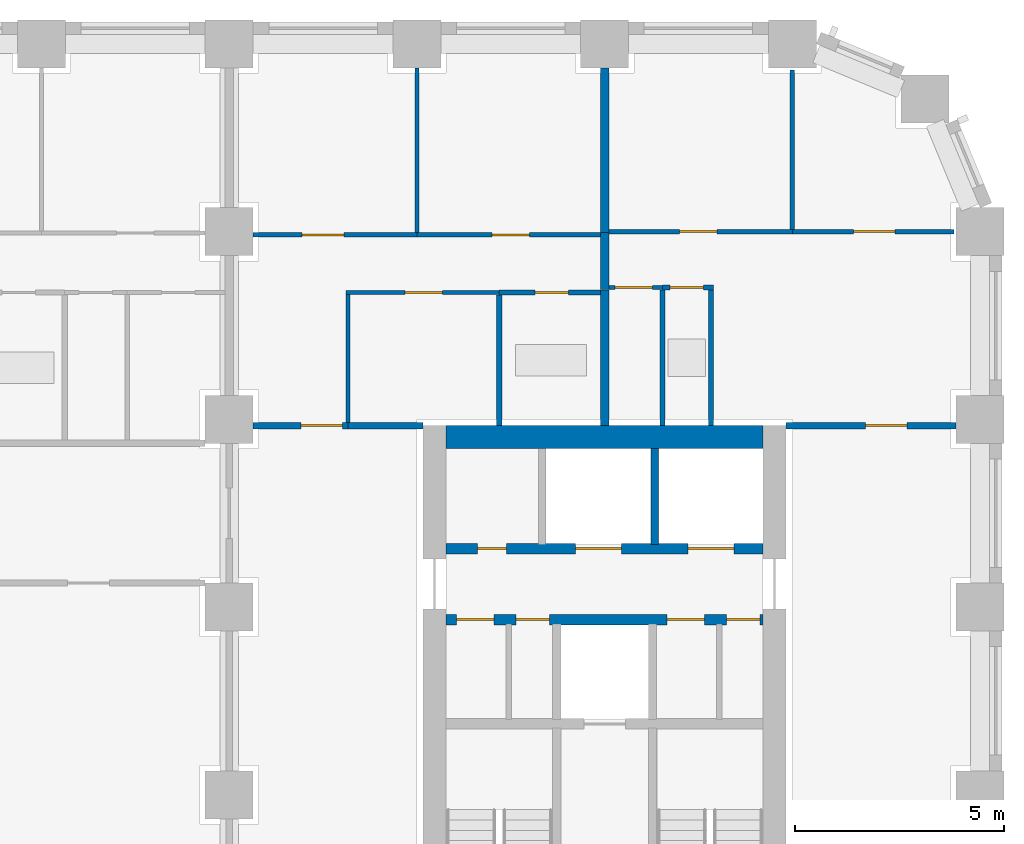
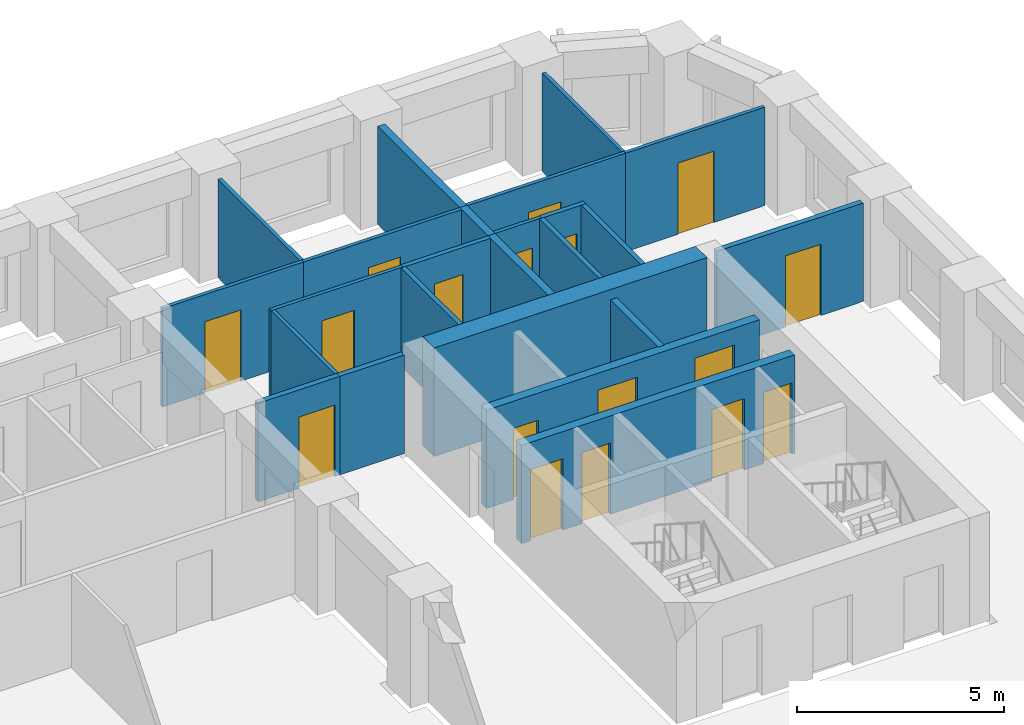
# One storey, part 9 of 13: 24 walls, 17 doors, 17 openings.
"""IFC4 building model written with IfcOpenShell, lengths in metres."""

from ifc_helpers import new_model, si_unit, direction, frame, frame_2d, origin, place, context, subcontext, project, spatial, rectangle, extrude, material, layer, layer_set, type_object, element, fill, save


model = new_model("IFC4")

# Units and contexts
model_context = context("Model", 3, precision=1e-05, world=origin(), true_north=direction((0.0, 1.0)))
body_context = subcontext(model_context, "Body", "Model", "MODEL_VIEW")
ifc_project = project(units=[si_unit("LENGTHUNIT", "METRE"), si_unit("AREAUNIT", "SQUARE_METRE"), si_unit("VOLUMEUNIT", "CUBIC_METRE"), si_unit("PLANEANGLEUNIT", "RADIAN"), si_unit("MASSUNIT", "GRAM", prefix="KILO")], contexts=[model_context])

# Site, building, storey
site_placement = place(None, origin())
site = spatial("IfcSite", under=ifc_project, at=site_placement, CompositionType="ELEMENT")
building_placement = place(site_placement, origin())
building = spatial("IfcBuilding", under=site, at=building_placement, Name="Girih Gate Residences", CompositionType="ELEMENT")
storey_placement = place(building_placement, frame((0.0, 0.0, 80.0)))
storey = spatial("IfcBuildingStorey", under=building, at=storey_placement, Name="L21", CompositionType="ELEMENT", Elevation=80.0)

# Wall, opening, door
ifc_material_1 = material(Name="Gypsum board on steel studs", Category="steel")
ifc_layer_1 = layer(ifc_material_1, 0.14990234375)
ifc_layer_set_1 = layer_set([ifc_layer_1], Name="Compartment wall 150 mm")
wall_type_1 = type_object("IfcWallType", Name="Compartment wall 150 mm", PredefinedType="PARTITIONING", material=ifc_layer_set_1)
wall_1_placement = place(storey_placement, frame((44.85009765625, 40.35009765625, 0.0), z_axis=(0.0, 0.0, 1.0), x_axis=(1.0, 0.0, 0.0)))
wall_1 = element("IfcWall", 1, at=wall_1_placement, inside=storey, type_object=wall_type_1, Name="L21 partition", PredefinedType="PARTITIONING", context=body_context, shape_type="SweptSolid", body=[
    extrude(rectangle(XDim=4.074951171875, YDim=0.14990234375, at=frame_2d((2.03759765625, 0.0))), origin(), (0.0, 0.0, 1.0), 2.89990234375),
])
opening_1_placement = place(wall_1_placement, frame((1.89990234375, 0.0, 0.0)))
opening_1 = element("IfcOpeningElement", 2, at=opening_1_placement, cuts=wall_1, Name="Opening A21-034", PredefinedType="OPENING", context=body_context, shape_type="SweptSolid", body=[
    extrude(rectangle(XDim=1.0, YDim=2.10009765625, at=frame_2d((0.5, 1.050048828125))), frame((0.0, 0.0849609375, 0.0), z_axis=(0.0, -1.0, 0.0), x_axis=(1.0, 0.0, 0.0)), (0.0, 0.0, 1.0), 0.169921875),
])
ifc_material_2 = material(Name="Timber, fire-rated core", Category="wood")
door_type_1 = type_object("IfcDoorType", Name="Flat entrance door 1000x2100 FD30S", OperationType="NOTDEFINED", PredefinedType="DOOR", material=ifc_material_2)
door_1_placement = place(opening_1_placement, origin())
door_1 = element("IfcDoor", 3, at=door_1_placement, inside=storey, type_object=door_type_1, Name="Door A21-034", OperationType="SINGLE_SWING_RIGHT", OverallHeight=2.10009765625, OverallWidth=1.0, PredefinedType="DOOR", context=body_context, shape_type="SweptSolid", body=[
    extrude(rectangle(XDim=1.0, YDim=2.10009765625, at=frame_2d((0.5, 1.050048828125))), frame((0.0, 0.02490234375, 0.0), z_axis=(0.0, -1.0, 0.0), x_axis=(1.0, 0.0, 0.0)), (0.0, 0.0, 1.0), 0.050048828125),
])
fill(opening_1, door_1)

wall_2_placement = place(storey_placement, frame((32.074951171875, 40.35009765625, 0.0), z_axis=(0.0, 0.0, 1.0), x_axis=(1.0, 0.0, 0.0)))
wall_2 = element("IfcWall", 4, at=wall_2_placement, inside=storey, type_object=wall_type_1, Name="L21 partition", PredefinedType="PARTITIONING", context=body_context, shape_type="SweptSolid", body=[
    extrude(rectangle(XDim=2.275146484375, YDim=0.14990234375, at=frame_2d((1.1376953125, 0.0))), origin(), (0.0, 0.0, 1.0), 2.89990234375),
])
opening_2_placement = place(wall_2_placement, frame((1.14501953125, 0.0, 0.0)))
opening_2 = element("IfcOpeningElement", 5, at=opening_2_placement, cuts=wall_2, Name="Opening A21-039", PredefinedType="OPENING", context=body_context, shape_type="SweptSolid", body=[
    extrude(rectangle(XDim=1.0, YDim=2.10009765625, at=frame_2d((0.5, 1.050048828125))), frame((0.0, 0.0849609375, 0.0), z_axis=(0.0, -1.0, 0.0), x_axis=(1.0, 0.0, 0.0)), (0.0, 0.0, 1.0), 0.169921875),
])
door_2_placement = place(opening_2_placement, origin())
door_2 = element("IfcDoor", 6, at=door_2_placement, inside=storey, type_object=door_type_1, Name="Door A21-039", OperationType="SINGLE_SWING_RIGHT", OverallHeight=2.10009765625, OverallWidth=1.0, PredefinedType="DOOR", context=body_context, shape_type="SweptSolid", body=[
    extrude(rectangle(XDim=1.0, YDim=2.10009765625, at=frame_2d((0.5, 1.050048828125))), frame((0.0, 0.02490234375, 0.0), z_axis=(0.0, -1.0, 0.0), x_axis=(1.0, 0.0, 0.0)), (0.0, 0.0, 1.0), 0.050048828125),
])
fill(opening_2, door_2)

# Walls
wall_3_placement = place(storey_placement, frame((34.35009765625, 40.35009765625, 0.0), z_axis=(0.0, 0.0, 1.0), x_axis=(1.0, 0.0, 0.0)))
element("IfcWall", 7, at=wall_3_placement, inside=storey, type_object=wall_type_1, Name="L21 partition", PredefinedType="PARTITIONING", context=body_context, shape_type="SweptSolid", body=[
    extrude(rectangle(XDim=1.7998046875, YDim=0.14990234375, at=frame_2d((0.89990234375, 0.0))), origin(), (0.0, 0.0, 1.0), 2.89990234375),
])
ifc_material_3 = material(Name="Concrete C60/75", Category="concrete")
ifc_layer_2 = layer(ifc_material_3, 0.550048828125)
ifc_layer_set_2 = layer_set([ifc_layer_2], Name="Core wall RC 550 Concrete C60/75")
wall_type_2 = type_object("IfcWallType", Name="Core wall RC 550 Concrete C60/75", PredefinedType="SOLIDWALL", material=ifc_layer_set_2)
wall_4_placement = place(storey_placement, frame((36.699951171875, 40.074951171875, 0.0), z_axis=(0.0, 0.0, 1.0), x_axis=(1.0, 0.0, 0.0)))
element("IfcWall", 8, at=wall_4_placement, inside=storey, type_object=wall_type_2, Name="Core wall E-N L21", PredefinedType="SOLIDWALL", context=body_context, shape_type="SweptSolid", body=[
    extrude(rectangle(XDim=7.60009765625, YDim=0.550048828125, at=frame_2d((3.800048828125, 0.0))), origin(), (0.0, 0.0, 1.0), 3.199951171875),
])

# Wall, openings, doors
ifc_material_4 = material(Name="Concrete C40/50", Category="concrete")
ifc_layer_3 = layer(ifc_material_4, 0.25)
ifc_layer_set_3 = layer_set([ifc_layer_3], Name="Lift shaft wall 250")
wall_type_3 = type_object("IfcWallType", Name="Lift shaft wall 250", PredefinedType="SOLIDWALL", material=ifc_layer_set_3)
wall_5_placement = place(storey_placement, frame((36.699951171875, 35.699951171875, 0.0), z_axis=(0.0, 0.0, 1.0), x_axis=(1.0, 0.0, 0.0)))
wall_5 = element("IfcWall", 9, at=wall_5_placement, inside=storey, type_object=wall_type_3, Name="L21 E core wall H2", PredefinedType="SOLIDWALL", context=body_context, shape_type="SweptSolid", body=[
    extrude(rectangle(XDim=7.60009765625, YDim=0.25, at=frame_2d((3.800048828125, 0.0))), origin(), (0.0, 0.0, 1.0), 2.89990234375),
])
opening_3_placement = place(wall_5_placement, frame((6.72509765625, 0.0, 0.0)))
opening_3 = element("IfcOpeningElement", 10, at=opening_3_placement, cuts=wall_5, Name="Opening D-L21-E-007", PredefinedType="OPENING", context=body_context, shape_type="SweptSolid", body=[
    extrude(rectangle(XDim=0.800048828125, YDim=2.10009765625, at=frame_2d((0.39990234375, 1.050048828125))), frame((0.0, 0.135009765625, 0.0), z_axis=(0.0, -1.0, 0.0), x_axis=(1.0, 0.0, 0.0)), (0.0, 0.0, 1.0), 0.27001953125),
])
opening_4_placement = place(wall_5_placement, frame((5.300048828125, 0.0, 0.0)))
opening_4 = element("IfcOpeningElement", 11, at=opening_4_placement, cuts=wall_5, Name="Opening D-L21-E-008", PredefinedType="OPENING", context=body_context, shape_type="SweptSolid", body=[
    extrude(rectangle(XDim=0.89990234375, YDim=2.10009765625, at=frame_2d((0.449951171875, 1.050048828125))), frame((0.0, 0.135009765625, 0.0), z_axis=(0.0, -1.0, 0.0), x_axis=(1.0, 0.0, 0.0)), (0.0, 0.0, 1.0), 0.27001953125),
])
opening_5_placement = place(wall_5_placement, frame((1.675048828125, 0.0, 0.0)))
opening_5 = element("IfcOpeningElement", 12, at=opening_5_placement, cuts=wall_5, Name="Opening D-L21-E-009", PredefinedType="OPENING", context=body_context, shape_type="SweptSolid", body=[
    extrude(rectangle(XDim=0.800048828125, YDim=2.10009765625, at=frame_2d((0.39990234375, 1.050048828125))), frame((0.0, 0.135009765625, 0.0), z_axis=(0.0, -1.0, 0.0), x_axis=(1.0, 0.0, 0.0)), (0.0, 0.0, 1.0), 0.27001953125),
])
opening_6_placement = place(wall_5_placement, frame((0.25, 0.0, 0.0)))
opening_6 = element("IfcOpeningElement", 13, at=opening_6_placement, cuts=wall_5, Name="Opening D-L21-E-010", PredefinedType="OPENING", context=body_context, shape_type="SweptSolid", body=[
    extrude(rectangle(XDim=0.89990234375, YDim=2.10009765625, at=frame_2d((0.449951171875, 1.050048828125))), frame((0.0, 0.135009765625, 0.0), z_axis=(0.0, -1.0, 0.0), x_axis=(1.0, 0.0, 0.0)), (0.0, 0.0, 1.0), 0.27001953125),
])
ifc_material_5 = material(Name="Painted steel, fire-resisting", Category="steel")
door_type_2 = type_object("IfcDoorType", Name="Fire door 800x2100", OperationType="SINGLE_SWING_LEFT", PredefinedType="DOOR", material=ifc_material_5)
door_3_placement = place(opening_3_placement, origin())
door_3 = element("IfcDoor", 14, at=door_3_placement, inside=storey, type_object=door_type_2, Name="L21 E maintenance store door", OperationType="SINGLE_SWING_LEFT", OverallHeight=2.10009765625, OverallWidth=0.800048828125, PredefinedType="DOOR", context=body_context, shape_type="SweptSolid", body=[
    extrude(rectangle(XDim=0.800048828125, YDim=2.10009765625, at=frame_2d((0.39990234375, 1.050048828125))), frame((0.0, 0.02490234375, 0.0), z_axis=(0.0, -1.0, 0.0), x_axis=(1.0, 0.0, 0.0)), (0.0, 0.0, 1.0), 0.050048828125),
])
fill(opening_3, door_3)
door_4_placement = place(opening_5_placement, origin())
door_4 = element("IfcDoor", 15, at=door_4_placement, inside=storey, type_object=door_type_2, Name="L21 E linen store door", OperationType="SINGLE_SWING_LEFT", OverallHeight=2.10009765625, OverallWidth=0.800048828125, PredefinedType="DOOR", context=body_context, shape_type="SweptSolid", body=[
    extrude(rectangle(XDim=0.800048828125, YDim=2.10009765625, at=frame_2d((0.39990234375, 1.050048828125))), frame((0.0, 0.02490234375, 0.0), z_axis=(0.0, -1.0, 0.0), x_axis=(1.0, 0.0, 0.0)), (0.0, 0.0, 1.0), 0.050048828125),
])
fill(opening_5, door_4)
door_type_3 = type_object("IfcDoorType", Name="Fire door 900x2100", OperationType="SINGLE_SWING_LEFT", PredefinedType="DOOR", material=ifc_material_5)
door_5_placement = place(opening_4_placement, origin())
door_5 = element("IfcDoor", 16, at=door_5_placement, inside=storey, type_object=door_type_3, Name="L21 E electrical room door", OperationType="SINGLE_SWING_LEFT", OverallHeight=2.10009765625, OverallWidth=0.89990234375, PredefinedType="DOOR", context=body_context, shape_type="SweptSolid", body=[
    extrude(rectangle(XDim=0.89990234375, YDim=2.10009765625, at=frame_2d((0.449951171875, 1.050048828125))), frame((0.0, 0.02490234375, 0.0), z_axis=(0.0, -1.0, 0.0), x_axis=(1.0, 0.0, 0.0)), (0.0, 0.0, 1.0), 0.050048828125),
])
fill(opening_4, door_5)
door_6_placement = place(opening_6_placement, origin())
door_6 = element("IfcDoor", 17, at=door_6_placement, inside=storey, type_object=door_type_3, Name="L21 E store door", OperationType="SINGLE_SWING_LEFT", OverallHeight=2.10009765625, OverallWidth=0.89990234375, PredefinedType="DOOR", context=body_context, shape_type="SweptSolid", body=[
    extrude(rectangle(XDim=0.89990234375, YDim=2.10009765625, at=frame_2d((0.449951171875, 1.050048828125))), frame((0.0, 0.02490234375, 0.0), z_axis=(0.0, -1.0, 0.0), x_axis=(1.0, 0.0, 0.0)), (0.0, 0.0, 1.0), 0.050048828125),
])
fill(opening_6, door_6)

wall_6_placement = place(storey_placement, frame((36.699951171875, 37.39990234375, 0.0), z_axis=(0.0, 0.0, 1.0), x_axis=(1.0, 0.0, 0.0)))
wall_6 = element("IfcWall", 18, at=wall_6_placement, inside=storey, type_object=wall_type_3, Name="L21 E core wall H3", PredefinedType="SOLIDWALL", context=body_context, shape_type="SweptSolid", body=[
    extrude(rectangle(XDim=7.60009765625, YDim=0.25, at=frame_2d((3.800048828125, 0.0))), origin(), (0.0, 0.0, 1.0), 2.89990234375),
])
opening_7_placement = place(wall_6_placement, frame((5.800048828125, 0.0, 0.0)))
opening_7 = element("IfcOpeningElement", 19, at=opening_7_placement, cuts=wall_6, Name="Opening D-L21-E-003", PredefinedType="OPENING", context=body_context, shape_type="SweptSolid", body=[
    extrude(rectangle(XDim=1.10009765625, YDim=2.39990234375, at=frame_2d((0.550048828125, 1.199951171875))), frame((0.0, 0.135009765625, 0.0), z_axis=(0.0, -1.0, 0.0), x_axis=(1.0, 0.0, 0.0)), (0.0, 0.0, 1.0), 0.27001953125),
])
opening_8_placement = place(wall_6_placement, frame((3.10009765625, 0.0, 0.0)))
opening_8 = element("IfcOpeningElement", 20, at=opening_8_placement, cuts=wall_6, Name="Opening D-L21-E-004", PredefinedType="OPENING", context=body_context, shape_type="SweptSolid", body=[
    extrude(rectangle(XDim=1.10009765625, YDim=2.39990234375, at=frame_2d((0.550048828125, 1.199951171875))), frame((0.0, 0.135009765625, 0.0), z_axis=(0.0, -1.0, 0.0), x_axis=(1.0, 0.0, 0.0)), (0.0, 0.0, 1.0), 0.27001953125),
])
opening_9_placement = place(wall_6_placement, frame((0.75, 0.0, 0.0)))
opening_9 = element("IfcOpeningElement", 21, at=opening_9_placement, cuts=wall_6, Name="Opening D-L21-E-006", PredefinedType="OPENING", context=body_context, shape_type="SweptSolid", body=[
    extrude(rectangle(XDim=0.699951171875, YDim=2.10009765625, at=frame_2d((0.35009765625, 1.050048828125))), frame((0.0, 0.135009765625, 0.0), z_axis=(0.0, -1.0, 0.0), x_axis=(1.0, 0.0, 0.0)), (0.0, 0.0, 1.0), 0.27001953125),
])
ifc_material_6 = material(Name="Stainless steel", Category="steel")
door_type_4 = type_object("IfcDoorType", Name="Lift landing door 1100x2400", OperationType="SLIDING_TO_LEFT", PredefinedType="DOOR", material=ifc_material_6)
door_7_placement = place(opening_7_placement, origin())
door_7 = element("IfcDoor", 22, at=door_7_placement, inside=storey, type_object=door_type_4, Name="L21 lift LR-E1 landing door", OperationType="SLIDING_TO_LEFT", OverallHeight=2.39990234375, OverallWidth=1.10009765625, PredefinedType="DOOR", context=body_context, shape_type="SweptSolid", body=[
    extrude(rectangle(XDim=1.10009765625, YDim=2.39990234375, at=frame_2d((0.550048828125, 1.199951171875))), frame((0.0, 0.02490234375, 0.0), z_axis=(0.0, -1.0, 0.0), x_axis=(1.0, 0.0, 0.0)), (0.0, 0.0, 1.0), 0.050048828125),
])
fill(opening_7, door_7)
door_8_placement = place(opening_8_placement, origin())
door_8 = element("IfcDoor", 23, at=door_8_placement, inside=storey, type_object=door_type_4, Name="L21 lift LR-E2 landing door", OperationType="SLIDING_TO_LEFT", OverallHeight=2.39990234375, OverallWidth=1.10009765625, PredefinedType="DOOR", context=body_context, shape_type="SweptSolid", body=[
    extrude(rectangle(XDim=1.10009765625, YDim=2.39990234375, at=frame_2d((0.550048828125, 1.199951171875))), frame((0.0, 0.02490234375, 0.0), z_axis=(0.0, -1.0, 0.0), x_axis=(1.0, 0.0, 0.0)), (0.0, 0.0, 1.0), 0.050048828125),
])
fill(opening_8, door_8)
door_type_5 = type_object("IfcDoorType", Name="Riser access door 700x2100", OperationType="SINGLE_SWING_LEFT", PredefinedType="DOOR", material=ifc_material_5)
door_9_placement = place(opening_9_placement, origin())
door_9 = element("IfcDoor", 24, at=door_9_placement, inside=storey, type_object=door_type_5, Name="L21 E riser room door", OperationType="SINGLE_SWING_LEFT", OverallHeight=2.10009765625, OverallWidth=0.699951171875, PredefinedType="DOOR", context=body_context, shape_type="SweptSolid", body=[
    extrude(rectangle(XDim=0.699951171875, YDim=2.10009765625, at=frame_2d((0.35009765625, 1.050048828125))), frame((0.0, 0.02490234375, 0.0), z_axis=(0.0, -1.0, 0.0), x_axis=(1.0, 0.0, 0.0)), (0.0, 0.0, 1.0), 0.050048828125),
])
fill(opening_9, door_9)

# Wall, opening, door
ifc_layer_4 = layer(ifc_material_1, 0.10009765625)
ifc_layer_set_4 = layer_set([ifc_layer_4], Name="Partition 100 mm")
wall_type_4 = type_object("IfcWallType", Name="Partition 100 mm", PredefinedType="PARTITIONING", material=ifc_layer_set_4)
wall_7_placement = place(storey_placement, frame((40.60009765625, 45.0, 0.0), z_axis=(0.0, 0.0, 1.0), x_axis=(1.0, 0.0, 0.0)))
wall_7 = element("IfcWall", 25, at=wall_7_placement, inside=storey, type_object=wall_type_4, Name="L21 partition", PredefinedType="PARTITIONING", context=body_context, shape_type="SweptSolid", body=[
    extrude(rectangle(XDim=4.39990234375, YDim=0.10009765625, at=frame_2d((2.199951171875, 0.0))), origin(), (0.0, 0.0, 1.0), 2.89990234375),
])
opening_10_placement = place(wall_7_placement, frame((1.699951171875, 0.0, 0.0)))
opening_10 = element("IfcOpeningElement", 26, at=opening_10_placement, cuts=wall_7, Name="Opening A21-031", PredefinedType="OPENING", context=body_context, shape_type="SweptSolid", body=[
    extrude(rectangle(XDim=0.89990234375, YDim=2.10009765625, at=frame_2d((0.449951171875, 1.050048828125))), frame((0.0, 0.06005859375, 0.0), z_axis=(0.0, -1.0, 0.0), x_axis=(1.0, 0.0, 0.0)), (0.0, 0.0, 1.0), 0.1201171875),
])
ifc_material_7 = material(Name="Timber", Category="wood")
door_type_6 = type_object("IfcDoorType", Name="Bedroom door 900x2100", OperationType="NOTDEFINED", PredefinedType="DOOR", material=ifc_material_7)
door_10_placement = place(opening_10_placement, origin())
door_10 = element("IfcDoor", 27, at=door_10_placement, inside=storey, type_object=door_type_6, Name="Door A21-031", OperationType="SINGLE_SWING_LEFT", OverallHeight=2.10009765625, OverallWidth=0.89990234375, PredefinedType="DOOR", context=body_context, shape_type="SweptSolid", body=[
    extrude(rectangle(XDim=0.89990234375, YDim=2.10009765625, at=frame_2d((0.449951171875, 1.050048828125))), frame((0.0, 0.02490234375, 0.0), z_axis=(0.0, -1.0, 0.0), x_axis=(1.0, 0.0, 0.0)), (0.0, 0.0, 1.0), 0.050048828125),
])
fill(opening_10, door_10)

# Wall
wall_8_placement = place(storey_placement, frame((45.0, 45.050048828125, 0.0), z_axis=(0.0, 0.0, 1.0), x_axis=(0.0, 1.0, 0.0)))
element("IfcWall", 28, at=wall_8_placement, inside=storey, type_object=wall_type_4, Name="L21 partition", PredefinedType="PARTITIONING", context=body_context, shape_type="SweptSolid", body=[
    extrude(rectangle(XDim=3.82763671875, YDim=0.10009765625, at=frame_2d((1.913818359375, 0.0))), origin(), (0.0, 0.0, 1.0), 2.89990234375),
])

# Wall, opening, door
wall_9_placement = place(storey_placement, frame((41.890869140625, 43.659912109375, 0.0), z_axis=(0.0, 0.0, 1.0), x_axis=(-1.0, 0.0, 0.0)))
wall_9 = element("IfcWall", 29, at=wall_9_placement, inside=storey, type_object=wall_type_4, Name="L21 partition", PredefinedType="PARTITIONING", context=body_context, shape_type="SweptSolid", body=[
    extrude(rectangle(XDim=1.290771484375, YDim=0.10009765625, at=frame_2d((0.6455078125, 0.0))), origin(), (0.0, 0.0, 1.0), 2.89990234375),
])
opening_11_placement = place(wall_9_placement, frame((0.24560546875, 0.0, 0.0)))
opening_11 = element("IfcOpeningElement", 30, at=opening_11_placement, cuts=wall_9, Name="Opening A21-032", PredefinedType="OPENING", context=body_context, shape_type="SweptSolid", body=[
    extrude(rectangle(XDim=0.89990234375, YDim=2.10009765625, at=frame_2d((0.449951171875, 1.050048828125))), frame((0.0, 0.06005859375, 0.0), z_axis=(0.0, -1.0, 0.0), x_axis=(1.0, 0.0, 0.0)), (0.0, 0.0, 1.0), 0.1201171875),
])
door_type_7 = type_object("IfcDoorType", Name="Kitchen door 900x2100", OperationType="NOTDEFINED", PredefinedType="DOOR", material=ifc_material_7)
door_11_placement = place(opening_11_placement, origin())
door_11 = element("IfcDoor", 31, at=door_11_placement, inside=storey, type_object=door_type_7, Name="Door A21-032", OperationType="SINGLE_SWING_RIGHT", OverallHeight=2.10009765625, OverallWidth=0.89990234375, PredefinedType="DOOR", context=body_context, shape_type="SweptSolid", body=[
    extrude(rectangle(XDim=0.89990234375, YDim=2.10009765625, at=frame_2d((0.449951171875, 1.050048828125))), frame((0.0, 0.02490234375, 0.0), z_axis=(0.0, -1.0, 0.0), x_axis=(1.0, 0.0, 0.0)), (0.0, 0.0, 1.0), 0.050048828125),
])
fill(opening_11, door_11)

wall_10_placement = place(storey_placement, frame((45.0, 45.0, 0.0), z_axis=(0.0, 0.0, 1.0), x_axis=(1.0, 0.0, 0.0)))
wall_10 = element("IfcWall", 32, at=wall_10_placement, inside=storey, type_object=wall_type_4, Name="L21 partition", PredefinedType="PARTITIONING", context=body_context, shape_type="SweptSolid", body=[
    extrude(rectangle(XDim=3.877685546875, YDim=0.10009765625, at=frame_2d((1.93896484375, 0.0))), origin(), (0.0, 0.0, 1.0), 2.89990234375),
])
opening_12_placement = place(wall_10_placement, frame((1.46240234375, 0.0, 0.0)))
opening_12 = element("IfcOpeningElement", 33, at=opening_12_placement, cuts=wall_10, Name="Opening A21-033", PredefinedType="OPENING", context=body_context, shape_type="SweptSolid", body=[
    extrude(rectangle(XDim=1.0, YDim=2.10009765625, at=frame_2d((0.5, 1.050048828125))), frame((0.0, 0.06005859375, 0.0), z_axis=(0.0, -1.0, 0.0), x_axis=(1.0, 0.0, 0.0)), (0.0, 0.0, 1.0), 0.1201171875),
])
door_type_8 = type_object("IfcDoorType", Name="Living room door 1000x2100", OperationType="NOTDEFINED", PredefinedType="DOOR", material=ifc_material_7)
door_12_placement = place(opening_12_placement, origin())
door_12 = element("IfcDoor", 34, at=door_12_placement, inside=storey, type_object=door_type_8, Name="Door A21-033", OperationType="SINGLE_SWING_RIGHT", OverallHeight=2.10009765625, OverallWidth=1.0, PredefinedType="DOOR", context=body_context, shape_type="SweptSolid", body=[
    extrude(rectangle(XDim=1.0, YDim=2.10009765625, at=frame_2d((0.5, 1.050048828125))), frame((0.0, 0.02490234375, 0.0), z_axis=(0.0, -1.0, 0.0), x_axis=(1.0, 0.0, 0.0)), (0.0, 0.0, 1.0), 0.050048828125),
])
fill(opening_12, door_12)

wall_11_placement = place(storey_placement, frame((36.0, 44.925048828125, 0.0), z_axis=(0.0, 0.0, 1.0), x_axis=(1.0, 0.0, 0.0)))
wall_11 = element("IfcWall", 35, at=wall_11_placement, inside=storey, type_object=wall_type_4, Name="L21 partition", PredefinedType="PARTITIONING", context=body_context, shape_type="SweptSolid", body=[
    extrude(rectangle(XDim=4.39990234375, YDim=0.10009765625, at=frame_2d((2.199951171875, 0.0))), origin(), (0.0, 0.0, 1.0), 2.89990234375),
])
opening_13_placement = place(wall_11_placement, frame((1.800048828125, 0.0, 0.0)))
opening_13 = element("IfcOpeningElement", 36, at=opening_13_placement, cuts=wall_11, Name="Opening A21-036", PredefinedType="OPENING", context=body_context, shape_type="SweptSolid", body=[
    extrude(rectangle(XDim=0.89990234375, YDim=2.10009765625, at=frame_2d((0.449951171875, 1.050048828125))), frame((0.0, 0.06005859375, 0.0), z_axis=(0.0, -1.0, 0.0), x_axis=(1.0, 0.0, 0.0)), (0.0, 0.0, 1.0), 0.1201171875),
])
door_13_placement = place(opening_13_placement, origin())
door_13 = element("IfcDoor", 37, at=door_13_placement, inside=storey, type_object=door_type_6, Name="Door A21-036", OperationType="SINGLE_SWING_RIGHT", OverallHeight=2.10009765625, OverallWidth=0.89990234375, PredefinedType="DOOR", context=body_context, shape_type="SweptSolid", body=[
    extrude(rectangle(XDim=0.89990234375, YDim=2.10009765625, at=frame_2d((0.449951171875, 1.050048828125))), frame((0.0, 0.02490234375, 0.0), z_axis=(0.0, -1.0, 0.0), x_axis=(1.0, 0.0, 0.0)), (0.0, 0.0, 1.0), 0.050048828125),
])
fill(opening_13, door_13)

# Wall
wall_12_placement = place(storey_placement, frame((36.0, 44.97509765625, 0.0), z_axis=(0.0, 0.0, 1.0), x_axis=(0.0, 1.0, 0.0)))
element("IfcWall", 38, at=wall_12_placement, inside=storey, type_object=wall_type_4, Name="L21 partition", PredefinedType="PARTITIONING", context=body_context, shape_type="SweptSolid", body=[
    extrude(rectangle(XDim=3.949951171875, YDim=0.10009765625, at=frame_2d((1.97509765625, 0.0))), origin(), (0.0, 0.0, 1.0), 2.89990234375),
])

# Wall, opening, door
wall_13_placement = place(storey_placement, frame((37.97265625, 43.544921875, 0.0), z_axis=(0.0, 0.0, 1.0), x_axis=(-1.0, 0.0, 0.0)))
wall_13 = element("IfcWall", 39, at=wall_13_placement, inside=storey, type_object=wall_type_4, Name="L21 partition", PredefinedType="PARTITIONING", context=body_context, shape_type="SweptSolid", body=[
    extrude(rectangle(XDim=3.672607421875, YDim=0.10009765625, at=frame_2d((1.83642578125, 0.0))), origin(), (0.0, 0.0, 1.0), 2.89990234375),
])
opening_14_placement = place(wall_13_placement, frame((1.361328125, 0.0, 0.0)))
opening_14 = element("IfcOpeningElement", 40, at=opening_14_placement, cuts=wall_13, Name="Opening A21-037", PredefinedType="OPENING", context=body_context, shape_type="SweptSolid", body=[
    extrude(rectangle(XDim=0.89990234375, YDim=2.10009765625, at=frame_2d((0.449951171875, 1.050048828125))), frame((0.0, 0.06005859375, 0.0), z_axis=(0.0, -1.0, 0.0), x_axis=(1.0, 0.0, 0.0)), (0.0, 0.0, 1.0), 0.1201171875),
])
door_14_placement = place(opening_14_placement, origin())
door_14 = element("IfcDoor", 41, at=door_14_placement, inside=storey, type_object=door_type_7, Name="Door A21-037", OperationType="SINGLE_SWING_LEFT", OverallHeight=2.10009765625, OverallWidth=0.89990234375, PredefinedType="DOOR", context=body_context, shape_type="SweptSolid", body=[
    extrude(rectangle(XDim=0.89990234375, YDim=2.10009765625, at=frame_2d((0.449951171875, 1.050048828125))), frame((0.0, 0.02490234375, 0.0), z_axis=(0.0, -1.0, 0.0), x_axis=(1.0, 0.0, 0.0)), (0.0, 0.0, 1.0), 0.050048828125),
])
fill(opening_14, door_14)

# Wall
wall_14_placement = place(storey_placement, frame((34.35009765625, 40.425048828125, 0.0), z_axis=(0.0, 0.0, 1.0), x_axis=(0.0, 1.0, 0.0)))
element("IfcWall", 42, at=wall_14_placement, inside=storey, type_object=wall_type_4, Name="L21 partition", PredefinedType="PARTITIONING", context=body_context, shape_type="SweptSolid", body=[
    extrude(rectangle(XDim=3.070068359375, YDim=0.10009765625, at=frame_2d((1.53515625, 0.0))), origin(), (0.0, 0.0, 1.0), 2.89990234375),
])

# Wall, opening, door
wall_15_placement = place(storey_placement, frame((32.074951171875, 44.925048828125, 0.0), z_axis=(0.0, 0.0, 1.0), x_axis=(1.0, 0.0, 0.0)))
wall_15 = element("IfcWall", 43, at=wall_15_placement, inside=storey, type_object=wall_type_4, Name="L21 partition", PredefinedType="PARTITIONING", context=body_context, shape_type="SweptSolid", body=[
    extrude(rectangle(XDim=3.925048828125, YDim=0.10009765625, at=frame_2d((1.96240234375, 0.0))), origin(), (0.0, 0.0, 1.0), 2.89990234375),
])
opening_15_placement = place(wall_15_placement, frame((1.175048828125, 0.0, 0.0)))
opening_15 = element("IfcOpeningElement", 44, at=opening_15_placement, cuts=wall_15, Name="Opening A21-038", PredefinedType="OPENING", context=body_context, shape_type="SweptSolid", body=[
    extrude(rectangle(XDim=1.0, YDim=2.10009765625, at=frame_2d((0.5, 1.050048828125))), frame((0.0, 0.06005859375, 0.0), z_axis=(0.0, -1.0, 0.0), x_axis=(1.0, 0.0, 0.0)), (0.0, 0.0, 1.0), 0.1201171875),
])
door_15_placement = place(opening_15_placement, origin())
door_15 = element("IfcDoor", 45, at=door_15_placement, inside=storey, type_object=door_type_8, Name="Door A21-038", OperationType="SINGLE_SWING_LEFT", OverallHeight=2.10009765625, OverallWidth=1.0, PredefinedType="DOOR", context=body_context, shape_type="SweptSolid", body=[
    extrude(rectangle(XDim=1.0, YDim=2.10009765625, at=frame_2d((0.5, 1.050048828125))), frame((0.0, 0.02490234375, 0.0), z_axis=(0.0, -1.0, 0.0), x_axis=(1.0, 0.0, 0.0)), (0.0, 0.0, 1.0), 0.050048828125),
])
fill(opening_15, door_15)

# Walls
ifc_layer_5 = layer(ifc_material_1, 0.199951171875)
ifc_layer_set_5 = layer_set([ifc_layer_5], Name="Party wall 200 mm")
wall_type_5 = type_object("IfcWallType", Name="Party wall 200 mm", PredefinedType="PARTITIONING", material=ifc_layer_set_5)
wall_16_placement = place(storey_placement, frame((40.5, 44.949951171875, 0.0), z_axis=(0.0, 0.0, 1.0), x_axis=(0.0, 1.0, 0.0)))
element("IfcWall", 46, at=wall_16_placement, inside=storey, type_object=wall_type_5, Name="L21 partition", PredefinedType="PARTITIONING", context=body_context, shape_type="SweptSolid", body=[
    extrude(rectangle(XDim=3.97509765625, YDim=0.199951171875, at=frame_2d((1.987548828125, 0.0))), origin(), (0.0, 0.0, 1.0), 2.89990234375),
])
wall_17_placement = place(storey_placement, frame((40.5, 43.610107421875, 0.0), z_axis=(0.0, 0.0, 1.0), x_axis=(0.0, 1.0, 0.0)))
element("IfcWall", 47, at=wall_17_placement, inside=storey, type_object=wall_type_5, Name="L21 partition", PredefinedType="PARTITIONING", context=body_context, shape_type="SweptSolid", body=[
    extrude(rectangle(XDim=1.364990234375, YDim=0.199951171875, at=frame_2d((0.6826171875, 0.0))), origin(), (0.0, 0.0, 1.0), 2.89990234375),
])
wall_18_placement = place(storey_placement, frame((40.5, 40.35009765625, 0.0), z_axis=(0.0, 0.0, 1.0), x_axis=(0.0, 1.0, 0.0)))
element("IfcWall", 48, at=wall_18_placement, inside=storey, type_object=wall_type_5, Name="L21 partition", PredefinedType="PARTITIONING", context=body_context, shape_type="SweptSolid", body=[
    extrude(rectangle(XDim=3.25732421875, YDim=0.199951171875, at=frame_2d((1.628662109375, 0.0))), origin(), (0.0, 0.0, 1.0), 2.89990234375),
])
ifc_layer_6 = layer(ifc_material_4, 0.175048828125)
ifc_layer_set_6 = layer_set([ifc_layer_6], Name="Riser shaft wall 175")
wall_type_6 = type_object("IfcWallType", Name="Riser shaft wall 175", PredefinedType="SOLIDWALL", material=ifc_layer_set_6)
wall_19_placement = place(storey_placement, frame((41.699951171875, 37.5, 0.0), z_axis=(0.0, 0.0, 1.0), x_axis=(0.0, 1.0, 0.0)))
element("IfcWall", 49, at=wall_19_placement, inside=storey, type_object=wall_type_6, Name="L21 E core wall V1c", PredefinedType="SOLIDWALL", context=body_context, shape_type="SweptSolid", body=[
    extrude(rectangle(XDim=2.300048828125, YDim=0.175048828125, at=frame_2d((1.14990234375, 0.0))), origin(), (0.0, 0.0, 1.0), 2.89990234375),
])

# Wall, opening, door
ifc_layer_7 = layer(ifc_material_1, 0.125)
ifc_layer_set_7 = layer_set([ifc_layer_7], Name="Wet room wall 125 mm")
wall_type_7 = type_object("IfcWallType", Name="Wet room wall 125 mm", PredefinedType="PARTITIONING", material=ifc_layer_set_7)
wall_20_placement = place(storey_placement, frame((43.112548828125, 43.659912109375, 0.0), z_axis=(0.0, 0.0, 1.0), x_axis=(-1.0, 0.0, 0.0)))
wall_20 = element("IfcWall", 50, at=wall_20_placement, inside=storey, type_object=wall_type_7, Name="L21 partition", PredefinedType="PARTITIONING", context=body_context, shape_type="SweptSolid", body=[
    extrude(rectangle(XDim=1.2216796875, YDim=0.125, at=frame_2d((0.61083984375, 0.0))), origin(), (0.0, 0.0, 1.0), 2.89990234375),
])
opening_16_placement = place(wall_20_placement, frame((0.241943359375, 0.0, 0.0)))
opening_16 = element("IfcOpeningElement", 51, at=opening_16_placement, cuts=wall_20, Name="Opening A21-030", PredefinedType="OPENING", context=body_context, shape_type="SweptSolid", body=[
    extrude(rectangle(XDim=0.800048828125, YDim=2.10009765625, at=frame_2d((0.39990234375, 1.050048828125))), frame((0.0, 0.072509765625, 0.0), z_axis=(0.0, -1.0, 0.0), x_axis=(1.0, 0.0, 0.0)), (0.0, 0.0, 1.0), 0.14501953125),
])
door_type_9 = type_object("IfcDoorType", Name="Bathroom door 800x2100", OperationType="NOTDEFINED", PredefinedType="DOOR", material=ifc_material_7)
door_16_placement = place(opening_16_placement, origin())
door_16 = element("IfcDoor", 52, at=door_16_placement, inside=storey, type_object=door_type_9, Name="Door A21-030", OperationType="SINGLE_SWING_RIGHT", OverallHeight=2.10009765625, OverallWidth=0.800048828125, PredefinedType="DOOR", context=body_context, shape_type="SweptSolid", body=[
    extrude(rectangle(XDim=0.800048828125, YDim=2.10009765625, at=frame_2d((0.39990234375, 1.050048828125))), frame((0.0, 0.02490234375, 0.0), z_axis=(0.0, -1.0, 0.0), x_axis=(1.0, 0.0, 0.0)), (0.0, 0.0, 1.0), 0.050048828125),
])
fill(opening_16, door_16)

# Walls
for number, where, z_axis, x_axis, name in (
    (53, (43.050048828125, 40.35009765625, 0.0), (0.0, 0.0, 1.0), (0.0, 1.0, 0.0), "L21 partition"),
    (54, (41.89111328125, 40.35009765625, 0.0), (0.0, 0.0, 1.0), (0.0, 1.0, 0.0), "L21 partition"),
):
    element("IfcWall", number, at=place(storey_placement, frame(where, z_axis=z_axis, x_axis=x_axis)), inside=storey, type_object=wall_type_7, Name=name, PredefinedType="PARTITIONING", context=body_context, shape_type="SweptSolid", body=[
        extrude(rectangle(XDim=3.247314453125, YDim=0.125, at=frame_2d((1.62353515625, 0.0))), origin(), (0.0, 0.0, 1.0), 2.89990234375),
    ])

# Wall, opening, door
wall_21_placement = place(storey_placement, frame((40.39990234375, 43.544921875, 0.0), z_axis=(0.0, 0.0, 1.0), x_axis=(-1.0, 0.0, 0.0)))
wall_21 = element("IfcWall", 55, at=wall_21_placement, inside=storey, type_object=wall_type_7, Name="L21 partition", PredefinedType="PARTITIONING", context=body_context, shape_type="SweptSolid", body=[
    extrude(rectangle(XDim=2.42724609375, YDim=0.125, at=frame_2d((1.213623046875, 0.0))), origin(), (0.0, 0.0, 1.0), 2.89990234375),
])
opening_17_placement = place(wall_21_placement, frame((0.763671875, 0.0, 0.0)))
opening_17 = element("IfcOpeningElement", 56, at=opening_17_placement, cuts=wall_21, Name="Opening A21-035", PredefinedType="OPENING", context=body_context, shape_type="SweptSolid", body=[
    extrude(rectangle(XDim=0.800048828125, YDim=2.10009765625, at=frame_2d((0.39990234375, 1.050048828125))), frame((0.0, 0.072509765625, 0.0), z_axis=(0.0, -1.0, 0.0), x_axis=(1.0, 0.0, 0.0)), (0.0, 0.0, 1.0), 0.14501953125),
])
door_17_placement = place(opening_17_placement, origin())
door_17 = element("IfcDoor", 57, at=door_17_placement, inside=storey, type_object=door_type_9, Name="Door A21-035", OperationType="SINGLE_SWING_LEFT", OverallHeight=2.10009765625, OverallWidth=0.800048828125, PredefinedType="DOOR", context=body_context, shape_type="SweptSolid", body=[
    extrude(rectangle(XDim=0.800048828125, YDim=2.10009765625, at=frame_2d((0.39990234375, 1.050048828125))), frame((0.0, 0.02490234375, 0.0), z_axis=(0.0, -1.0, 0.0), x_axis=(1.0, 0.0, 0.0)), (0.0, 0.0, 1.0), 0.050048828125),
])
fill(opening_17, door_17)

# Wall
wall_22_placement = place(storey_placement, frame((37.972900390625, 40.35009765625, 0.0), z_axis=(0.0, 0.0, 1.0), x_axis=(0.0, 1.0, 0.0)))
element("IfcWall", 58, at=wall_22_placement, inside=storey, type_object=wall_type_7, Name="L21 partition", PredefinedType="PARTITIONING", context=body_context, shape_type="SweptSolid", body=[
    extrude(rectangle(XDim=3.13232421875, YDim=0.125, at=frame_2d((1.566162109375, 0.0))), origin(), (0.0, 0.0, 1.0), 2.89990234375),
])

save(model, "model.ifc")
